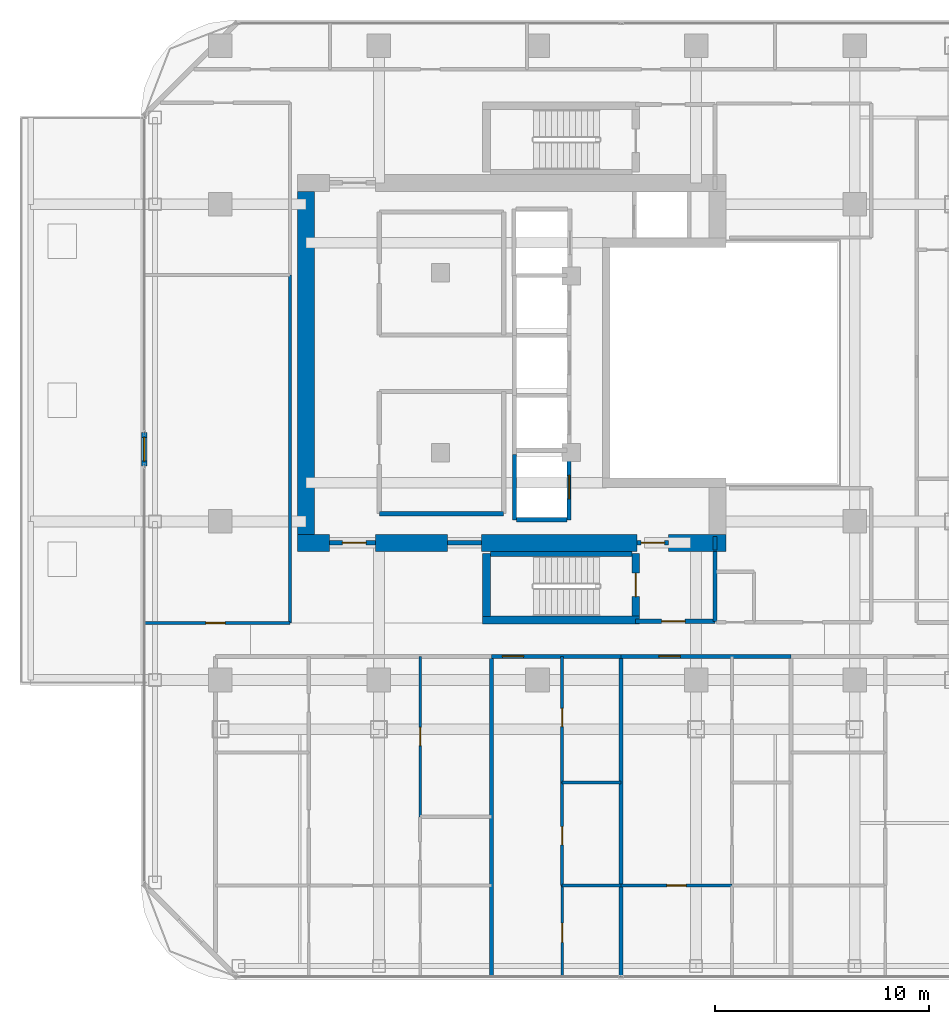
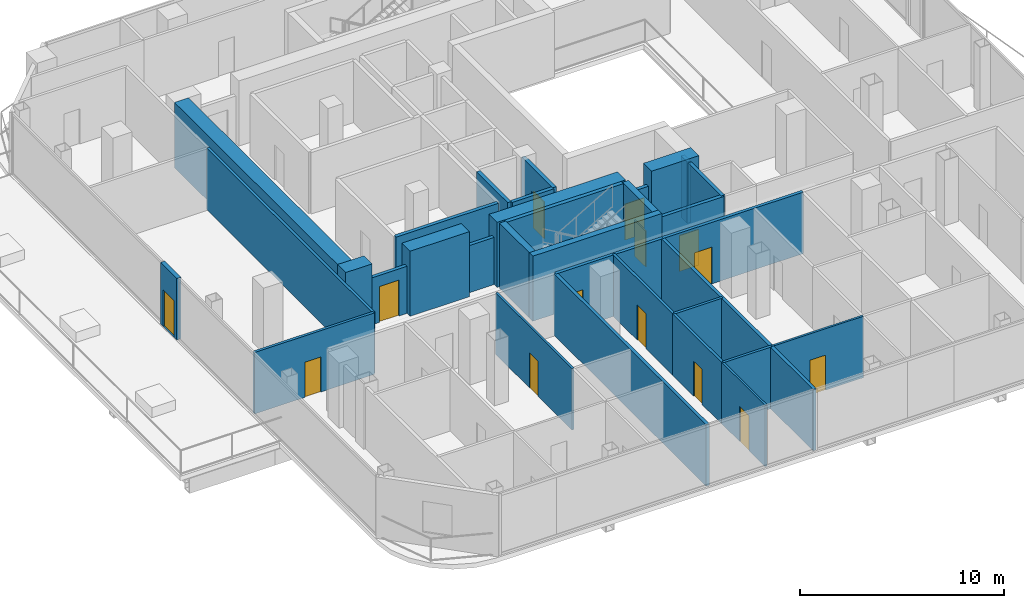
# One storey, part 20 of 26: 33 walls, 14 doors, 14 openings.
"""IFC4 building model written with IfcOpenShell, lengths in metres."""

from ifc_helpers import new_model, si_unit, direction, frame, frame_2d, origin, place, context, subcontext, project, spatial, rectangle, extrude, material, layer, layer_set, type_object, element, fill, save


model = new_model("IFC4")

# Units and contexts
model_context = context("Model", 3, precision=1e-05, world=origin(), true_north=direction((0.0, 1.0)))
body_context = subcontext(model_context, "Body", "Model", "MODEL_VIEW")
ifc_project = project(units=[si_unit("LENGTHUNIT", "METRE"), si_unit("AREAUNIT", "SQUARE_METRE"), si_unit("VOLUMEUNIT", "CUBIC_METRE"), si_unit("PLANEANGLEUNIT", "RADIAN"), si_unit("MASSUNIT", "GRAM", prefix="KILO")], contexts=[model_context])

# Site, building, storey
site_placement = place(None, origin())
site = spatial("IfcSite", under=ifc_project, at=site_placement, CompositionType="ELEMENT")
building_placement = place(site_placement, origin())
building = spatial("IfcBuilding", under=site, at=building_placement, Name="Khorvyn Point Tower", CompositionType="ELEMENT")
storey_placement = place(building_placement, frame((0.0, 0.0, 219.60009765625)))
storey = spatial("IfcBuildingStorey", under=building, at=storey_placement, Name="L54", CompositionType="ELEMENT", Elevation=219.60009765625)

# Wall, opening, door
ifc_material_1 = material(Name="Double acoustic gypsum on twin steel stud", Category="steel")
ifc_layer_1 = layer(ifc_material_1, 0.179931640625)
ifc_layer_set_1 = layer_set([ifc_layer_1], Name="Acoustic Double-Stud Apartment Demising Wall 180")
wall_type_1 = type_object("IfcWallType", Name="Acoustic Double-Stud Apartment Demising Wall 180", PredefinedType="PARTITIONING", material=ifc_layer_set_1)
wall_1_placement = place(storey_placement, frame((-2.154052734375, -13.699951171875, 0.0), z_axis=(0.0, 0.0, 1.0), x_axis=(1.0, 0.0, 0.0)))
wall_1 = element("IfcWall", 1, at=wall_1_placement, inside=storey, type_object=wall_type_1, Name="Wall", PredefinedType="PARTITIONING", context=body_context, shape_type="SweptSolid", body=[
    extrude(rectangle(XDim=6.053955078125, YDim=0.179931640625, at=frame_2d((3.02685546875, 0.0))), origin(), (0.0, 0.0, 1.0), 3.679931640625),
])
opening_1_placement = place(wall_1_placement, frame((0.5107421875, 0.0, 0.0)))
opening_1 = element("IfcOpeningElement", 2, at=opening_1_placement, cuts=wall_1, Name="Opening ID-AP60", PredefinedType="OPENING", context=body_context, shape_type="SweptSolid", body=[
    extrude(rectangle(XDim=1.0, YDim=2.199951171875, at=frame_2d((0.5, 1.10009765625))), frame((0.0, 0.099853515625, 0.0), z_axis=(0.0, -1.0, 0.0), x_axis=(1.0, 0.0, 0.0)), (0.0, 0.0, 1.0), 0.199951171875),
])
ifc_material_2 = material(Name="Engineered hardwood fire-rated leaf", Category="wood")
door_type_1 = type_object("IfcDoorType", Name="Acoustic Solid-Core Timber Apartment Entrance Door 1000x2200", OperationType="NOTDEFINED", PredefinedType="DOOR", material=ifc_material_2)
door_1_placement = place(opening_1_placement, origin())
door_1 = element("IfcDoor", 3, at=door_1_placement, inside=storey, type_object=door_type_1, Name="Door", OperationType="SINGLE_SWING_RIGHT", OverallHeight=2.199951171875, OverallWidth=1.0, PredefinedType="DOOR", context=body_context, shape_type="SweptSolid", body=[
    extrude(rectangle(XDim=1.0, YDim=2.199951171875, at=frame_2d((0.5, 1.10009765625))), frame((0.0, 0.02490234375, 0.0), z_axis=(0.0, -1.0, 0.0), x_axis=(1.0, 0.0, 0.0)), (0.0, 0.0, 1.0), 0.050048828125),
])
fill(opening_1, door_1)

wall_2_placement = place(storey_placement, frame((3.89990234375, -13.699951171875, 0.0), z_axis=(0.0, 0.0, 1.0), x_axis=(1.0, 0.0, 0.0)))
wall_2 = element("IfcWall", 4, at=wall_2_placement, inside=storey, type_object=wall_type_1, Name="Wall", PredefinedType="PARTITIONING", context=body_context, shape_type="SweptSolid", body=[
    extrude(rectangle(XDim=7.927001953125, YDim=0.179931640625, at=frame_2d((3.96337890625, 0.0))), origin(), (0.0, 0.0, 1.0), 3.679931640625),
])
opening_2_placement = place(wall_2_placement, frame((1.76708984375, 0.0, 0.0)))
opening_2 = element("IfcOpeningElement", 5, at=opening_2_placement, cuts=wall_2, Name="Opening ID-AP60", PredefinedType="OPENING", context=body_context, shape_type="SweptSolid", body=[
    extrude(rectangle(XDim=1.0, YDim=2.199951171875, at=frame_2d((0.5, 1.10009765625))), frame((0.0, 0.099853515625, 0.0), z_axis=(0.0, -1.0, 0.0), x_axis=(1.0, 0.0, 0.0)), (0.0, 0.0, 1.0), 0.199951171875),
])
door_2_placement = place(opening_2_placement, origin())
door_2 = element("IfcDoor", 6, at=door_2_placement, inside=storey, type_object=door_type_1, Name="Door", OperationType="SINGLE_SWING_RIGHT", OverallHeight=2.199951171875, OverallWidth=1.0, PredefinedType="DOOR", context=body_context, shape_type="SweptSolid", body=[
    extrude(rectangle(XDim=1.0, YDim=2.199951171875, at=frame_2d((0.5, 1.10009765625))), frame((0.0, 0.02490234375, 0.0), z_axis=(0.0, -1.0, 0.0), x_axis=(1.0, 0.0, 0.0)), (0.0, 0.0, 1.0), 0.050048828125),
])
fill(opening_2, door_2)

# Walls
for number, where, z_axis, x_axis, name in (
    (7, (-2.154052734375, -28.6298828125, 0.0), (0.0, 0.0, 1.0), (0.0, 1.0, 0.0), "Wall"),
    (8, (3.89990234375, -28.6298828125, 0.0), (0.0, 0.0, 1.0), (0.0, 1.0, 0.0), "Wall"),
):
    element("IfcWall", number, at=place(storey_placement, frame(where, z_axis=z_axis, x_axis=x_axis)), inside=storey, type_object=wall_type_1, Name=name, PredefinedType="PARTITIONING", context=body_context, shape_type="SweptSolid", body=[
        extrude(rectangle(XDim=14.929931640625, YDim=0.179931640625, at=frame_2d((7.46484375, 0.0))), origin(), (0.0, 0.0, 1.0), 3.679931640625),
    ])

# Wall, opening, door
ifc_material_3 = material(Name="Pale anodised aluminium rainscreen on steel stud", Category="steel")
ifc_layer_2 = layer(ifc_material_3, 0.239990234375)
ifc_layer_set_2 = layer_set([ifc_layer_2], Name="Anodised Aluminium Insulated Corner Spandrel Wall 240")
wall_type_2 = type_object("IfcWallType", Name="Anodised Aluminium Insulated Corner Spandrel Wall 240", PredefinedType="SOLIDWALL", material=ifc_layer_set_2)
wall_3_placement = place(storey_placement, frame((-18.35009765625, -4.820068359375, 0.0), z_axis=(0.0, 0.0, 1.0), x_axis=(0.0, 1.0, 0.0)))
wall_3 = element("IfcWall", 9, at=wall_3_placement, inside=storey, type_object=wall_type_2, Name="L54 West Outdoor Threshold Wall", PredefinedType="SOLIDWALL", context=body_context, shape_type="SweptSolid", body=[
    extrude(rectangle(XDim=1.580078125, YDim=0.239990234375, at=frame_2d((0.7900390625, 0.0))), origin(), (0.0, 0.0, 1.0), 3.679931640625),
])
opening_3_placement = place(wall_3_placement, frame((0.239990234375, 0.0, 0.0)))
opening_3 = element("IfcOpeningElement", 10, at=opening_3_placement, cuts=wall_3, Name="Opening BD-1122", PredefinedType="OPENING", context=body_context, shape_type="SweptSolid", body=[
    extrude(rectangle(XDim=1.10009765625, YDim=2.199951171875, at=frame_2d((0.550048828125, 1.10009765625))), frame((0.0, 0.1298828125, 0.0), z_axis=(0.0, -1.0, 0.0), x_axis=(1.0, 0.0, 0.0)), (0.0, 0.0, 1.0), 0.260009765625),
])
ifc_material_4 = material(Name="Anodised aluminium 6063-T6 and laminated Low-E glass", Category="aluminium")
door_type_2 = type_object("IfcDoorType", Name="Glazed Balcony and Terrace Threshold Door 1100x2200", OperationType="NOTDEFINED", PredefinedType="DOOR", material=ifc_material_4)
door_3_placement = place(opening_3_placement, origin())
door_3 = element("IfcDoor", 11, at=door_3_placement, inside=storey, type_object=door_type_2, Name="L54 West Terrace Outdoor Door", OperationType="SINGLE_SWING_RIGHT", OverallHeight=2.199951171875, OverallWidth=1.10009765625, PredefinedType="DOOR", context=body_context, shape_type="SweptSolid", body=[
    extrude(rectangle(XDim=1.10009765625, YDim=2.199951171875, at=frame_2d((0.550048828125, 1.10009765625))), frame((0.0, 0.02490234375, 0.0), z_axis=(0.0, -1.0, 0.0), x_axis=(1.0, 0.0, 0.0)), (0.0, 0.0, 1.0), 0.050048828125),
])
fill(opening_3, door_3)

ifc_material_5 = material(Name="Concrete C40/50", Category="concrete")
ifc_layer_3 = layer(ifc_material_5, 0.199951171875)
ifc_layer_set_3 = layer_set([ifc_layer_3], Name="Concrete C40/50 Fire-Lobby Compartment Wall 200")
wall_type_3 = type_object("IfcWallType", Name="Concrete C40/50 Fire-Lobby Compartment Wall 200", PredefinedType="SOLIDWALL", material=ifc_layer_set_3)
wall_4_placement = place(storey_placement, frame((4.580078125, -12.06005859375, 0.0), z_axis=(0.0, 0.0, 1.0), x_axis=(1.0, 0.0, 0.0)))
wall_4 = element("IfcWall", 12, at=wall_4_placement, inside=storey, type_object=wall_type_3, Name="Wall", PredefinedType="SOLIDWALL", context=body_context, shape_type="SweptSolid", body=[
    extrude(rectangle(XDim=3.699951171875, YDim=0.199951171875, at=frame_2d((1.85009765625, 0.0))), origin(), (0.0, 0.0, 1.0), 3.679931640625),
])
opening_4_placement = place(wall_4_placement, frame((1.21240234375, 0.0, 0.0)))
opening_4 = element("IfcOpeningElement", 13, at=opening_4_placement, cuts=wall_4, Name="Opening ID-FL90", PredefinedType="OPENING", context=body_context, shape_type="SweptSolid", body=[
    extrude(rectangle(XDim=1.10009765625, YDim=2.14990234375, at=frame_2d((0.550048828125, 1.074951171875))), frame((0.0, 0.10986328125, 0.0), z_axis=(0.0, -1.0, 0.0), x_axis=(1.0, 0.0, 0.0)), (0.0, 0.0, 1.0), 0.219970703125),
])
ifc_material_6 = material(Name="Galvanised powder-coated steel", Category="steel")
door_type_3 = type_object("IfcDoorType", Name="Fire-Rated Steel Lobby and Stair Door 1100x2150", OperationType="NOTDEFINED", PredefinedType="DOOR", material=ifc_material_6)
door_4_placement = place(opening_4_placement, origin())
door_4 = element("IfcDoor", 14, at=door_4_placement, inside=storey, type_object=door_type_3, Name="Door", OperationType="SINGLE_SWING_RIGHT", OverallHeight=2.14990234375, OverallWidth=1.10009765625, PredefinedType="DOOR", context=body_context, shape_type="SweptSolid", body=[
    extrude(rectangle(XDim=1.10009765625, YDim=2.14990234375, at=frame_2d((0.550048828125, 1.074951171875))), frame((0.0, 0.02490234375, 0.0), z_axis=(0.0, -1.0, 0.0), x_axis=(1.0, 0.0, 0.0)), (0.0, 0.0, 1.0), 0.050048828125),
])
fill(opening_4, door_4)

wall_5_placement = place(storey_placement, frame((4.64990234375, -8.39990234375, 0.0), z_axis=(0.0, 0.0, 1.0), x_axis=(1.0, 0.0, 0.0)))
wall_5 = element("IfcWall", 15, at=wall_5_placement, inside=storey, type_object=wall_type_3, Name="Wall", PredefinedType="SOLIDWALL", context=body_context, shape_type="SweptSolid", body=[
    extrude(rectangle(XDim=1.47021484375, YDim=0.199951171875, at=frame_2d((0.735107421875, 0.0))), origin(), (0.0, 0.0, 1.0), 2.81982421875),
])
opening_5_placement = place(wall_5_placement, frame((0.18505859375, 0.0, 0.0)))
opening_5 = element("IfcOpeningElement", 16, at=opening_5_placement, cuts=wall_5, Name="Opening ID-FL90", PredefinedType="OPENING", context=body_context, shape_type="SweptSolid", body=[
    extrude(rectangle(XDim=1.10009765625, YDim=2.14990234375, at=frame_2d((0.550048828125, 1.074951171875))), frame((0.0, 0.10986328125, 0.0), z_axis=(0.0, -1.0, 0.0), x_axis=(1.0, 0.0, 0.0)), (0.0, 0.0, 1.0), 0.219970703125),
])
door_5_placement = place(opening_5_placement, origin())
door_5 = element("IfcDoor", 17, at=door_5_placement, inside=storey, type_object=door_type_3, Name="Door", OperationType="SINGLE_SWING_LEFT", OverallHeight=2.14990234375, OverallWidth=1.10009765625, PredefinedType="DOOR", context=body_context, shape_type="SweptSolid", body=[
    extrude(rectangle(XDim=1.10009765625, YDim=2.14990234375, at=frame_2d((0.550048828125, 1.074951171875))), frame((0.0, 0.02490234375, 0.0), z_axis=(0.0, -1.0, 0.0), x_axis=(1.0, 0.0, 0.0)), (0.0, 0.0, 1.0), 0.050048828125),
])
fill(opening_5, door_5)

wall_6_placement = place(storey_placement, frame((-9.699951171875, -8.39990234375, 0.0), z_axis=(0.0, 0.0, 1.0), x_axis=(1.0, 0.0, 0.0)))
wall_6 = element("IfcWall", 18, at=wall_6_placement, inside=storey, type_object=wall_type_3, Name="Wall", PredefinedType="SOLIDWALL", context=body_context, shape_type="SweptSolid", body=[
    extrude(rectangle(XDim=2.14990234375, YDim=0.199951171875, at=frame_2d((1.074951171875, 0.0))), origin(), (0.0, 0.0, 1.0), 2.81982421875),
])
opening_6_placement = place(wall_6_placement, frame((0.597900390625, 0.0, 0.0)))
opening_6 = element("IfcOpeningElement", 19, at=opening_6_placement, cuts=wall_6, Name="Opening ID-FL90", PredefinedType="OPENING", context=body_context, shape_type="SweptSolid", body=[
    extrude(rectangle(XDim=1.10009765625, YDim=2.14990234375, at=frame_2d((0.550048828125, 1.074951171875))), frame((0.0, 0.10986328125, 0.0), z_axis=(0.0, -1.0, 0.0), x_axis=(1.0, 0.0, 0.0)), (0.0, 0.0, 1.0), 0.219970703125),
])
door_6_placement = place(opening_6_placement, origin())
door_6 = element("IfcDoor", 20, at=door_6_placement, inside=storey, type_object=door_type_3, Name="Door", OperationType="SINGLE_SWING_LEFT", OverallHeight=2.14990234375, OverallWidth=1.10009765625, PredefinedType="DOOR", context=body_context, shape_type="SweptSolid", body=[
    extrude(rectangle(XDim=1.10009765625, YDim=2.14990234375, at=frame_2d((0.550048828125, 1.074951171875))), frame((0.0, 0.02490234375, 0.0), z_axis=(0.0, -1.0, 0.0), x_axis=(1.0, 0.0, 0.0)), (0.0, 0.0, 1.0), 0.050048828125),
])
fill(opening_6, door_6)

# Walls
wall_7_placement = place(storey_placement, frame((8.280029296875, -12.06005859375, 0.0), z_axis=(0.0, 0.0, 1.0), x_axis=(0.0, 1.0, 0.0)))
element("IfcWall", 21, at=wall_7_placement, inside=storey, type_object=wall_type_3, Name="Wall", PredefinedType="SOLIDWALL", context=body_context, shape_type="SweptSolid", body=[
    extrude(rectangle(XDim=3.260009765625, YDim=0.199951171875, at=frame_2d((1.6298828125, 0.0))), origin(), (0.0, 0.0, 1.0), 3.679931640625),
])
wall_8_placement = place(storey_placement, frame((-4.199951171875, -8.39990234375, 0.0), z_axis=(0.0, 0.0, 1.0), x_axis=(1.0, 0.0, 0.0)))
element("IfcWall", 22, at=wall_8_placement, inside=storey, type_object=wall_type_3, Name="Wall", PredefinedType="SOLIDWALL", context=body_context, shape_type="SweptSolid", body=[
    extrude(rectangle(XDim=1.579833984375, YDim=0.199951171875, at=frame_2d((0.7900390625, 0.0))), origin(), (0.0, 0.0, 1.0), 2.81982421875),
])
wall_9_placement = place(storey_placement, frame((-7.3798828125, -7.0400390625, 0.0), z_axis=(0.0, 0.0, 1.0), x_axis=(1.0, 0.0, 0.0)))
element("IfcWall", 23, at=wall_9_placement, inside=storey, type_object=wall_type_3, Name="Wall", PredefinedType="SOLIDWALL", context=body_context, shape_type="SweptSolid", body=[
    extrude(rectangle(XDim=5.7998046875, YDim=0.199951171875, at=frame_2d((2.89990234375, 0.0))), origin(), (0.0, 0.0, 1.0), 3.679931640625),
])
wall_10_placement = place(storey_placement, frame((8.280029296875, -8.72509765625, 0.0), z_axis=(0.0, 0.0, 1.0), x_axis=(0.0, 1.0, 0.0)))
element("IfcWall", 24, at=wall_10_placement, inside=storey, type_object=wall_type_3, Name="Wall", PredefinedType="SOLIDWALL", context=body_context, shape_type="SweptSolid", body=[
    extrude(rectangle(XDim=0.625, YDim=0.199951171875, at=frame_2d((0.3125, 0.0))), origin(), (0.0, 0.0, 1.0), 3.679931640625),
])
ifc_layer_4 = layer(ifc_material_5, 0.25)
ifc_layer_set_4 = layer_set([ifc_layer_4], Name="Concrete C40/50 Stair Inner Cheek Structural Wall 250")
wall_type_4 = type_object("IfcWallType", Name="Concrete C40/50 Stair Inner Cheek Structural Wall 250", PredefinedType="SHEAR", material=ifc_layer_set_4)
wall_11_placement = place(storey_placement, frame((-2.199951171875, -8.91259765625, 0.0), z_axis=(0.0, 0.0, 1.0), x_axis=(1.0, 0.0, 0.0)))
element("IfcWall", 25, at=wall_11_placement, inside=storey, type_object=wall_type_4, Name="Wall", PredefinedType="SHEAR", context=body_context, shape_type="SweptSolid", body=[
    extrude(rectangle(XDim=6.599853515625, YDim=0.22509765625, at=frame_2d((3.2998046875, 0.0))), origin(), (0.0, 0.0, 1.0), 3.89990234375),
])
ifc_layer_5 = layer(ifc_material_5, 0.35009765625)
ifc_layer_set_5 = layer_set([ifc_layer_5], Name="Concrete C40/50 Stair Shaft Structural Wall 350")
wall_type_5 = type_object("IfcWallType", Name="Concrete C40/50 Stair Shaft Structural Wall 350", PredefinedType="SHEAR", material=ifc_layer_set_5)
wall_12_placement = place(storey_placement, frame((-2.554931640625, -12.0, 0.0), z_axis=(0.0, 0.0, 1.0), x_axis=(1.0, 0.0, 0.0)))
element("IfcWall", 26, at=wall_12_placement, inside=storey, type_object=wall_type_5, Name="L54 ST-01 South Shaft Wall", PredefinedType="SHEAR", context=body_context, shape_type="SweptSolid", body=[
    extrude(rectangle(XDim=7.309814453125, YDim=0.35009765625, at=frame_2d((3.65478515625, 0.0))), origin(), (0.0, 0.0, 1.0), 3.89990234375),
])
wall_13_placement = place(storey_placement, frame((-2.3798828125, -11.824951171875, 0.0), z_axis=(0.0, 0.0, 1.0), x_axis=(0.0, 1.0, 0.0)))
element("IfcWall", 27, at=wall_13_placement, inside=storey, type_object=wall_type_5, Name="L54 ST-01 West Shaft Wall", PredefinedType="SHEAR", context=body_context, shape_type="SweptSolid", body=[
    extrude(rectangle(XDim=2.925048828125, YDim=0.35009765625, at=frame_2d((1.46240234375, 0.0))), origin(), (0.0, 0.0, 1.0), 3.89990234375),
])

# Wall, opening, door
wall_14_placement = place(storey_placement, frame((4.580078125, -8.89990234375, 0.0), z_axis=(0.0, 0.0, 1.0), x_axis=(0.0, -1.0, 0.0)))
wall_14 = element("IfcWall", 28, at=wall_14_placement, inside=storey, type_object=wall_type_5, Name="L54 ST-01 East Landing Door Wall", PredefinedType="SHEAR", context=body_context, shape_type="SweptSolid", body=[
    extrude(rectangle(XDim=2.925048828125, YDim=0.35009765625, at=frame_2d((1.46240234375, 0.0))), origin(), (0.0, 0.0, 1.0), 3.89990234375),
])
opening_7_placement = place(wall_14_placement, frame((0.91259765625, 0.0, 0.0)))
opening_7 = element("IfcOpeningElement", 29, at=opening_7_placement, cuts=wall_14, Name="Opening ID-FL90", PredefinedType="OPENING", context=body_context, shape_type="SweptSolid", body=[
    extrude(rectangle(XDim=1.10009765625, YDim=2.14990234375, at=frame_2d((0.550048828125, 1.074951171875))), frame((0.0, 0.18505859375, 0.0), z_axis=(0.0, -1.0, 0.0), x_axis=(1.0, 0.0, 0.0)), (0.0, 0.0, 1.0), 0.3701171875),
])
door_7_placement = place(opening_7_placement, origin())
door_7 = element("IfcDoor", 30, at=door_7_placement, inside=storey, type_object=door_type_3, Name="L54 ST-01 Smokeproof Landing Door", OperationType="SINGLE_SWING_RIGHT", OverallHeight=2.14990234375, OverallWidth=1.10009765625, PredefinedType="DOOR", context=body_context, shape_type="SweptSolid", body=[
    extrude(rectangle(XDim=1.10009765625, YDim=2.14990234375, at=frame_2d((0.550048828125, 1.074951171875))), frame((0.0, 0.02490234375, 0.0), z_axis=(0.0, -1.0, 0.0), x_axis=(1.0, 0.0, 0.0)), (0.0, 0.0, 1.0), 0.050048828125),
])
fill(opening_7, door_7)

# Wall
ifc_layer_6 = layer(ifc_material_5, 0.199951171875)
ifc_layer_set_6 = layer_set([ifc_layer_6], Name="Concrete C40/50 Structural Hoistway and Stair Shaft Wall 200")
wall_type_6 = type_object("IfcWallType", Name="Concrete C40/50 Structural Hoistway and Stair Shaft Wall 200", PredefinedType="SHEAR", material=ifc_layer_set_6)
wall_15_placement = place(storey_placement, frame((-1.074951171875, -7.324951171875, 0.0), z_axis=(0.0, 0.0, 1.0), x_axis=(0.0, 1.0, 0.0)))
element("IfcWall", 31, at=wall_15_placement, inside=storey, type_object=wall_type_6, Name="Wall", PredefinedType="SHEAR", context=body_context, shape_type="SweptSolid", body=[
    extrude(rectangle(XDim=3.050048828125, YDim=0.199951171875, at=frame_2d((1.52490234375, 0.0))), origin(), (0.0, 0.0, 1.0), 3.679931640625),
])

# Wall, opening, door
wall_16_placement = place(storey_placement, frame((1.47509765625, -7.324951171875, 0.0), z_axis=(0.0, 0.0, 1.0), x_axis=(0.0, 1.0, 0.0)))
wall_16 = element("IfcWall", 32, at=wall_16_placement, inside=storey, type_object=wall_type_6, Name="Wall", PredefinedType="SHEAR", context=body_context, shape_type="SweptSolid", body=[
    extrude(rectangle(XDim=3.050048828125, YDim=0.199951171875, at=frame_2d((1.52490234375, 0.0))), origin(), (0.0, 0.0, 1.0), 3.679931640625),
])
opening_8_placement = place(wall_16_placement, frame((0.97509765625, 0.0, 0.0)))
opening_8 = element("IfcOpeningElement", 33, at=opening_8_placement, cuts=wall_16, Name="Opening LD-1122", PredefinedType="OPENING", context=body_context, shape_type="SweptSolid", body=[
    extrude(rectangle(XDim=1.10009765625, YDim=2.199951171875, at=frame_2d((0.550048828125, 1.10009765625))), frame((0.0, 0.10986328125, 0.0), z_axis=(0.0, -1.0, 0.0), x_axis=(1.0, 0.0, 0.0)), (0.0, 0.0, 1.0), 0.219970703125),
])
ifc_material_7 = material(Name="Stainless steel 1.4301", Category="steel")
door_type_4 = type_object("IfcDoorType", Name="Stainless Steel Automatic Sliding Lift Landing Door 1100x2200", OperationType="SLIDING_TO_LEFT", PredefinedType="DOOR", material=ifc_material_7)
door_8_placement = place(opening_8_placement, origin())
door_8 = element("IfcDoor", 34, at=door_8_placement, inside=storey, type_object=door_type_4, Name="L54 FF-01 Sliding Lift Landing Door", OperationType="SLIDING_TO_LEFT", OverallHeight=2.199951171875, OverallWidth=1.10009765625, PredefinedType="DOOR", context=body_context, shape_type="SweptSolid", body=[
    extrude(rectangle(XDim=1.10009765625, YDim=2.199951171875, at=frame_2d((0.550048828125, 1.10009765625))), frame((0.0, 0.02490234375, 0.0), z_axis=(0.0, -1.0, 0.0), x_axis=(1.0, 0.0, 0.0)), (0.0, 0.0, 1.0), 0.050048828125),
])
fill(opening_8, door_8)

# Walls
wall_17_placement = place(storey_placement, frame((-0.97509765625, -7.324951171875, 0.0), z_axis=(0.0, 0.0, 1.0), x_axis=(1.0, 0.0, 0.0)))
element("IfcWall", 35, at=wall_17_placement, inside=storey, type_object=wall_type_6, Name="Wall", PredefinedType="SHEAR", context=body_context, shape_type="SweptSolid", body=[
    extrude(rectangle(XDim=2.35009765625, YDim=0.199951171875, at=frame_2d((1.175048828125, 0.0))), origin(), (0.0, 0.0, 1.0), 3.679931640625),
])
ifc_material_8 = material(Name="Concrete C45/55", Category="concrete")
ifc_layer_7 = layer(ifc_material_8, 0.800048828125)
ifc_layer_set_7 = layer_set([ifc_layer_7], Name="Concrete C45/55 Core Shear Wall 800")
wall_type_7 = type_object("IfcWallType", Name="Concrete C45/55 Core Shear Wall 800", PredefinedType="SHEAR", material=ifc_layer_set_7)
wall_18_placement = place(storey_placement, frame((-11.199951171875, -8.39990234375, 0.0), z_axis=(0.0, 0.0, 1.0), x_axis=(1.0, 0.0, 0.0)))
element("IfcWall", 36, at=wall_18_placement, inside=storey, type_object=wall_type_7, Name="Wall", PredefinedType="SHEAR", context=body_context, shape_type="SweptSolid", body=[
    extrude(rectangle(XDim=1.5, YDim=0.800048828125, at=frame_2d((0.75, 0.0))), origin(), (0.0, 0.0, 1.0), 3.89990234375),
])
wall_19_placement = place(storey_placement, frame((-7.550048828125, -8.39990234375, 0.0), z_axis=(0.0, 0.0, 1.0), x_axis=(1.0, 0.0, 0.0)))
element("IfcWall", 37, at=wall_19_placement, inside=storey, type_object=wall_type_7, Name="Wall", PredefinedType="SHEAR", context=body_context, shape_type="SweptSolid", body=[
    extrude(rectangle(XDim=3.35009765625, YDim=0.800048828125, at=frame_2d((1.675048828125, 0.0))), origin(), (0.0, 0.0, 1.0), 3.89990234375),
])
wall_20_placement = place(storey_placement, frame((-2.6201171875, -8.39990234375, 0.0), z_axis=(0.0, 0.0, 1.0), x_axis=(1.0, 0.0, 0.0)))
element("IfcWall", 38, at=wall_20_placement, inside=storey, type_object=wall_type_7, Name="Wall", PredefinedType="SHEAR", context=body_context, shape_type="SweptSolid", body=[
    extrude(rectangle(XDim=7.27001953125, YDim=0.800048828125, at=frame_2d((3.635009765625, 0.0))), origin(), (0.0, 0.0, 1.0), 3.89990234375),
])
wall_21_placement = place(storey_placement, frame((6.1201171875, -8.39990234375, 0.0), z_axis=(0.0, 0.0, 1.0), x_axis=(1.0, 0.0, 0.0)))
element("IfcWall", 39, at=wall_21_placement, inside=storey, type_object=wall_type_7, Name="Wall", PredefinedType="SHEAR", context=body_context, shape_type="SweptSolid", body=[
    extrude(rectangle(XDim=2.679931640625, YDim=0.800048828125, at=frame_2d((1.33984375, 0.0))), origin(), (0.0, 0.0, 1.0), 3.89990234375),
])
wall_22_placement = place(storey_placement, frame((-10.800048828125, -8.0, 0.0), z_axis=(0.0, 0.0, 1.0), x_axis=(0.0, 1.0, 0.0)))
element("IfcWall", 40, at=wall_22_placement, inside=storey, type_object=wall_type_7, Name="Wall", PredefinedType="SHEAR", context=body_context, shape_type="SweptSolid", body=[
    extrude(rectangle(XDim=16.0, YDim=0.800048828125, at=frame_2d((8.0, 0.0))), origin(), (0.0, 0.0, 1.0), 3.89990234375),
])

# Wall, opening, door
ifc_material_9 = material(Name="Gypsum plasterboard on steel stud", Category="steel")
ifc_layer_8 = layer(ifc_material_9, 0.1201171875)
ifc_layer_set_8 = layer_set([ifc_layer_8], Name="Gypsum Acoustic Stud Room Partition Wall 120")
wall_type_8 = type_object("IfcWallType", Name="Gypsum Acoustic Stud Room Partition Wall 120", PredefinedType="PARTITIONING", material=ifc_layer_set_8)
wall_23_placement = place(storey_placement, frame((-5.47900390625, -21.18310546875, 0.0), z_axis=(0.0, 0.0, 1.0), x_axis=(0.0, 1.0, 0.0)))
wall_23 = element("IfcWall", 41, at=wall_23_placement, inside=storey, type_object=wall_type_8, Name="Wall", PredefinedType="PARTITIONING", context=body_context, shape_type="SweptSolid", body=[
    extrude(rectangle(XDim=7.483154296875, YDim=0.1201171875, at=frame_2d((3.74169921875, 0.0))), origin(), (0.0, 0.0, 1.0), 3.679931640625),
])
opening_9_placement = place(wall_23_placement, frame((3.31640625, 0.0, 0.0)))
opening_9 = element("IfcOpeningElement", 42, at=opening_9_placement, cuts=wall_23, Name="Opening ID-WC85", PredefinedType="OPENING", context=body_context, shape_type="SweptSolid", body=[
    extrude(rectangle(XDim=0.85009765625, YDim=2.10009765625, at=frame_2d((0.425048828125, 1.050048828125))), frame((0.0, 0.070068359375, 0.0), z_axis=(0.0, -1.0, 0.0), x_axis=(1.0, 0.0, 0.0)), (0.0, 0.0, 1.0), 0.14013671875),
])
ifc_material_10 = material(Name="High-pressure laminate on moisture-resistant core", Category="wood")
door_type_5 = type_object("IfcDoorType", Name="Moisture-Resistant Accessible Washroom Door 850x2100", OperationType="NOTDEFINED", PredefinedType="DOOR", material=ifc_material_10)
door_9_placement = place(opening_9_placement, origin())
door_9 = element("IfcDoor", 43, at=door_9_placement, inside=storey, type_object=door_type_5, Name="Door", OperationType="SINGLE_SWING_RIGHT", OverallHeight=2.10009765625, OverallWidth=0.85009765625, PredefinedType="DOOR", context=body_context, shape_type="SweptSolid", body=[
    extrude(rectangle(XDim=0.85009765625, YDim=2.10009765625, at=frame_2d((0.425048828125, 1.050048828125))), frame((0.0, 0.02490234375, 0.0), z_axis=(0.0, -1.0, 0.0), x_axis=(1.0, 0.0, 0.0)), (0.0, 0.0, 1.0), 0.050048828125),
])
fill(opening_9, door_9)

wall_24_placement = place(storey_placement, frame((1.14990234375, -28.6298828125, 0.0), z_axis=(0.0, 0.0, 1.0), x_axis=(0.0, 1.0, 0.0)))
wall_24 = element("IfcWall", 44, at=wall_24_placement, inside=storey, type_object=wall_type_8, Name="Wall", PredefinedType="PARTITIONING", context=body_context, shape_type="SweptSolid", body=[
    extrude(rectangle(XDim=4.239990234375, YDim=0.1201171875, at=frame_2d((2.1201171875, 0.0))), origin(), (0.0, 0.0, 1.0), 3.679931640625),
])
opening_10_placement = place(wall_24_placement, frame((1.581298828125, 0.0, 0.0)))
opening_10 = element("IfcOpeningElement", 45, at=opening_10_placement, cuts=wall_24, Name="Opening ID-RM90", PredefinedType="OPENING", context=body_context, shape_type="SweptSolid", body=[
    extrude(rectangle(XDim=0.89990234375, YDim=2.10009765625, at=frame_2d((0.449951171875, 1.050048828125))), frame((0.0, 0.070068359375, 0.0), z_axis=(0.0, -1.0, 0.0), x_axis=(1.0, 0.0, 0.0)), (0.0, 0.0, 1.0), 0.14013671875),
])
ifc_material_11 = material(Name="Engineered oak veneer timber", Category="wood")
door_type_6 = type_object("IfcDoorType", Name="Flush Engineered Timber Room Door 900x2100", OperationType="NOTDEFINED", PredefinedType="DOOR", material=ifc_material_11)
door_10_placement = place(opening_10_placement, origin())
door_10 = element("IfcDoor", 46, at=door_10_placement, inside=storey, type_object=door_type_6, Name="Door", OperationType="SINGLE_SWING_LEFT", OverallHeight=2.10009765625, OverallWidth=0.89990234375, PredefinedType="DOOR", context=body_context, shape_type="SweptSolid", body=[
    extrude(rectangle(XDim=0.89990234375, YDim=2.10009765625, at=frame_2d((0.449951171875, 1.050048828125))), frame((0.0, 0.02490234375, 0.0), z_axis=(0.0, -1.0, 0.0), x_axis=(1.0, 0.0, 0.0)), (0.0, 0.0, 1.0), 0.050048828125),
])
fill(opening_10, door_10)

wall_25_placement = place(storey_placement, frame((3.89990234375, -24.389892578125, 0.0), z_axis=(0.0, 0.0, 1.0), x_axis=(1.0, 0.0, 0.0)))
wall_25 = element("IfcWall", 47, at=wall_25_placement, inside=storey, type_object=wall_type_8, Name="Wall", PredefinedType="PARTITIONING", context=body_context, shape_type="SweptSolid", body=[
    extrude(rectangle(XDim=5.177001953125, YDim=0.1201171875, at=frame_2d((2.58837890625, 0.0))), origin(), (0.0, 0.0, 1.0), 3.679931640625),
])
opening_11_placement = place(wall_25_placement, frame((2.138427734375, 0.0, 0.0)))
opening_11 = element("IfcOpeningElement", 48, at=opening_11_placement, cuts=wall_25, Name="Opening ID-RM90", PredefinedType="OPENING", context=body_context, shape_type="SweptSolid", body=[
    extrude(rectangle(XDim=0.89990234375, YDim=2.10009765625, at=frame_2d((0.449951171875, 1.050048828125))), frame((0.0, 0.070068359375, 0.0), z_axis=(0.0, -1.0, 0.0), x_axis=(1.0, 0.0, 0.0)), (0.0, 0.0, 1.0), 0.14013671875),
])
door_11_placement = place(opening_11_placement, origin())
door_11 = element("IfcDoor", 49, at=door_11_placement, inside=storey, type_object=door_type_6, Name="Door", OperationType="SINGLE_SWING_LEFT", OverallHeight=2.10009765625, OverallWidth=0.89990234375, PredefinedType="DOOR", context=body_context, shape_type="SweptSolid", body=[
    extrude(rectangle(XDim=0.89990234375, YDim=2.10009765625, at=frame_2d((0.449951171875, 1.050048828125))), frame((0.0, 0.02490234375, 0.0), z_axis=(0.0, -1.0, 0.0), x_axis=(1.0, 0.0, 0.0)), (0.0, 0.0, 1.0), 0.050048828125),
])
fill(opening_11, door_11)

ifc_material_12 = material(Name="Moisture-resistant gypsum and cement board", Category="gypsum")
ifc_layer_9 = layer(ifc_material_12, 0.14990234375)
ifc_layer_set_9 = layer_set([ifc_layer_9], Name="Moisture-Resistant Wet-Room Partition Wall 150")
wall_type_9 = type_object("IfcWallType", Name="Moisture-Resistant Wet-Room Partition Wall 150", PredefinedType="PARTITIONING", material=ifc_layer_set_9)
wall_26_placement = place(storey_placement, frame((1.14990234375, -19.5791015625, 0.0), z_axis=(0.0, 0.0, 1.0), x_axis=(0.0, 1.0, 0.0)))
wall_26 = element("IfcWall", 50, at=wall_26_placement, inside=storey, type_object=wall_type_9, Name="Wall", PredefinedType="PARTITIONING", context=body_context, shape_type="SweptSolid", body=[
    extrude(rectangle(XDim=5.879150390625, YDim=0.14990234375, at=frame_2d((2.939453125, 0.0))), origin(), (0.0, 0.0, 1.0), 3.679931640625),
])
opening_12_placement = place(wall_26_placement, frame((2.601806640625, 0.0, 0.0)))
opening_12 = element("IfcOpeningElement", 51, at=opening_12_placement, cuts=wall_26, Name="Opening ID-WC85", PredefinedType="OPENING", context=body_context, shape_type="SweptSolid", body=[
    extrude(rectangle(XDim=0.85009765625, YDim=2.10009765625, at=frame_2d((0.425048828125, 1.050048828125))), frame((0.0, 0.0849609375, 0.0), z_axis=(0.0, -1.0, 0.0), x_axis=(1.0, 0.0, 0.0)), (0.0, 0.0, 1.0), 0.169921875),
])
door_12_placement = place(opening_12_placement, origin())
door_12 = element("IfcDoor", 52, at=door_12_placement, inside=storey, type_object=door_type_5, Name="Door", OperationType="SINGLE_SWING_LEFT", OverallHeight=2.10009765625, OverallWidth=0.85009765625, PredefinedType="DOOR", context=body_context, shape_type="SweptSolid", body=[
    extrude(rectangle(XDim=0.85009765625, YDim=2.10009765625, at=frame_2d((0.425048828125, 1.050048828125))), frame((0.0, 0.02490234375, 0.0), z_axis=(0.0, -1.0, 0.0), x_axis=(1.0, 0.0, 0.0)), (0.0, 0.0, 1.0), 0.050048828125),
])
fill(opening_12, door_12)

wall_27_placement = place(storey_placement, frame((1.14990234375, -24.389892578125, 0.0), z_axis=(0.0, 0.0, 1.0), x_axis=(0.0, 1.0, 0.0)))
wall_27 = element("IfcWall", 53, at=wall_27_placement, inside=storey, type_object=wall_type_9, Name="Wall", PredefinedType="PARTITIONING", context=body_context, shape_type="SweptSolid", body=[
    extrude(rectangle(XDim=4.810791015625, YDim=0.14990234375, at=frame_2d((2.4052734375, 0.0))), origin(), (0.0, 0.0, 1.0), 3.679931640625),
])
opening_13_placement = place(wall_27_placement, frame((1.893798828125, 0.0, 0.0)))
opening_13 = element("IfcOpeningElement", 54, at=opening_13_placement, cuts=wall_27, Name="Opening ID-WC85", PredefinedType="OPENING", context=body_context, shape_type="SweptSolid", body=[
    extrude(rectangle(XDim=0.85009765625, YDim=2.10009765625, at=frame_2d((0.425048828125, 1.050048828125))), frame((0.0, 0.0849609375, 0.0), z_axis=(0.0, -1.0, 0.0), x_axis=(1.0, 0.0, 0.0)), (0.0, 0.0, 1.0), 0.169921875),
])
door_13_placement = place(opening_13_placement, origin())
door_13 = element("IfcDoor", 55, at=door_13_placement, inside=storey, type_object=door_type_5, Name="Door", OperationType="SINGLE_SWING_RIGHT", OverallHeight=2.10009765625, OverallWidth=0.85009765625, PredefinedType="DOOR", context=body_context, shape_type="SweptSolid", body=[
    extrude(rectangle(XDim=0.85009765625, YDim=2.10009765625, at=frame_2d((0.425048828125, 1.050048828125))), frame((0.0, 0.02490234375, 0.0), z_axis=(0.0, -1.0, 0.0), x_axis=(1.0, 0.0, 0.0)), (0.0, 0.0, 1.0), 0.050048828125),
])
fill(opening_13, door_13)

wall_28_placement = place(storey_placement, frame((-18.330078125, -12.139892578125, 0.0), z_axis=(0.0, 0.0, 1.0), x_axis=(1.0, 0.0, 0.0)))
wall_28 = element("IfcWall", 56, at=wall_28_placement, inside=storey, type_object=wall_type_9, Name="Wall", PredefinedType="PARTITIONING", context=body_context, shape_type="SweptSolid", body=[
    extrude(rectangle(XDim=6.780029296875, YDim=0.14990234375, at=frame_2d((3.39013671875, 0.0))), origin(), (0.0, 0.0, 1.0), 3.679931640625),
])
opening_14_placement = place(wall_28_placement, frame((2.850341796875, 0.0, 0.0)))
opening_14 = element("IfcOpeningElement", 57, at=opening_14_placement, cuts=wall_28, Name="Opening ID-RM90", PredefinedType="OPENING", context=body_context, shape_type="SweptSolid", body=[
    extrude(rectangle(XDim=0.89990234375, YDim=2.10009765625, at=frame_2d((0.449951171875, 1.050048828125))), frame((0.0, 0.0849609375, 0.0), z_axis=(0.0, -1.0, 0.0), x_axis=(1.0, 0.0, 0.0)), (0.0, 0.0, 1.0), 0.169921875),
])
door_14_placement = place(opening_14_placement, origin())
door_14 = element("IfcDoor", 58, at=door_14_placement, inside=storey, type_object=door_type_6, Name="Door", OperationType="SINGLE_SWING_RIGHT", OverallHeight=2.10009765625, OverallWidth=0.89990234375, PredefinedType="DOOR", context=body_context, shape_type="SweptSolid", body=[
    extrude(rectangle(XDim=0.89990234375, YDim=2.10009765625, at=frame_2d((0.449951171875, 1.050048828125))), frame((0.0, 0.02490234375, 0.0), z_axis=(0.0, -1.0, 0.0), x_axis=(1.0, 0.0, 0.0)), (0.0, 0.0, 1.0), 0.050048828125),
])
fill(opening_14, door_14)

# Walls
for number, where, z_axis, x_axis, name in (
    (59, (1.14990234375, -19.5791015625, 0.0), (0.0, 0.0, 1.0), (1.0, 0.0, 0.0), "Wall"),
    (60, (1.14990234375, -24.389892578125, 0.0), (0.0, 0.0, 1.0), (1.0, 0.0, 0.0), "Wall"),
):
    element("IfcWall", number, at=place(storey_placement, frame(where, z_axis=z_axis, x_axis=x_axis)), inside=storey, type_object=wall_type_9, Name=name, PredefinedType="PARTITIONING", context=body_context, shape_type="SweptSolid", body=[
        extrude(rectangle(XDim=2.75, YDim=0.14990234375, at=frame_2d((1.375, 0.0))), origin(), (0.0, 0.0, 1.0), 3.679931640625),
    ])
wall_29_placement = place(storey_placement, frame((-11.550048828125, -12.139892578125, 0.0), z_axis=(0.0, 0.0, 1.0), x_axis=(0.0, 1.0, 0.0)))
element("IfcWall", 61, at=wall_29_placement, inside=storey, type_object=wall_type_9, Name="Wall", PredefinedType="PARTITIONING", context=body_context, shape_type="SweptSolid", body=[
    extrude(rectangle(XDim=16.239990234375, YDim=0.14990234375, at=frame_2d((8.1201171875, 0.0))), origin(), (0.0, 0.0, 1.0), 3.679931640625),
])

save(model, "model.ifc")
